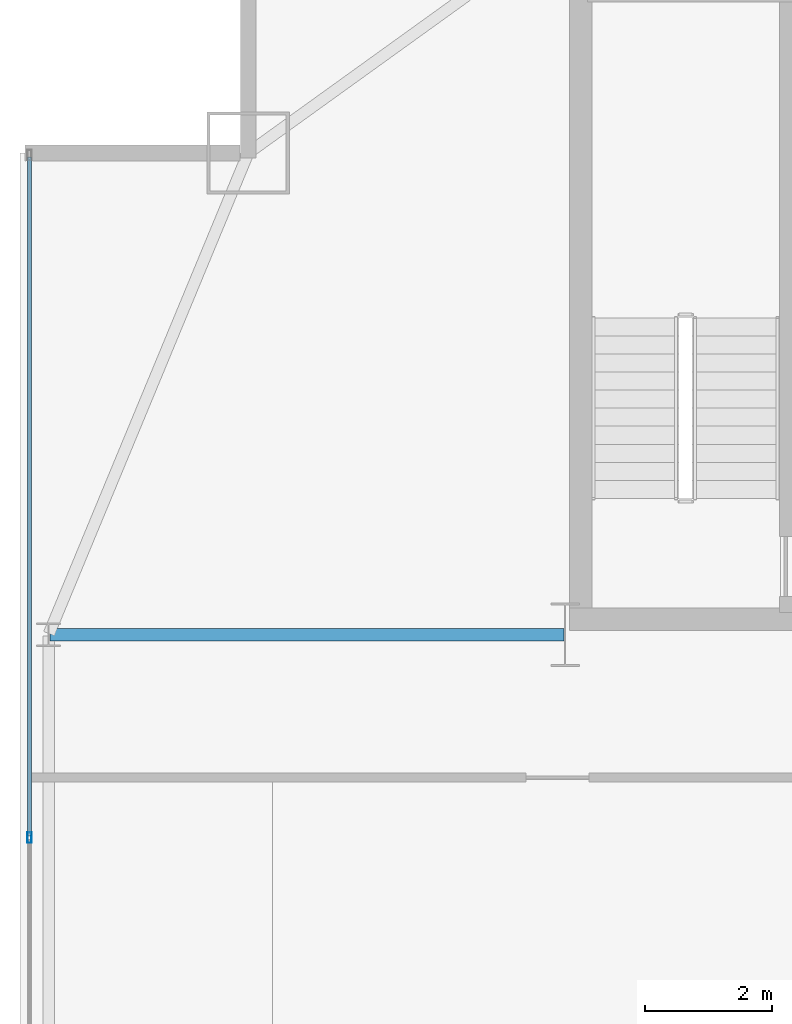
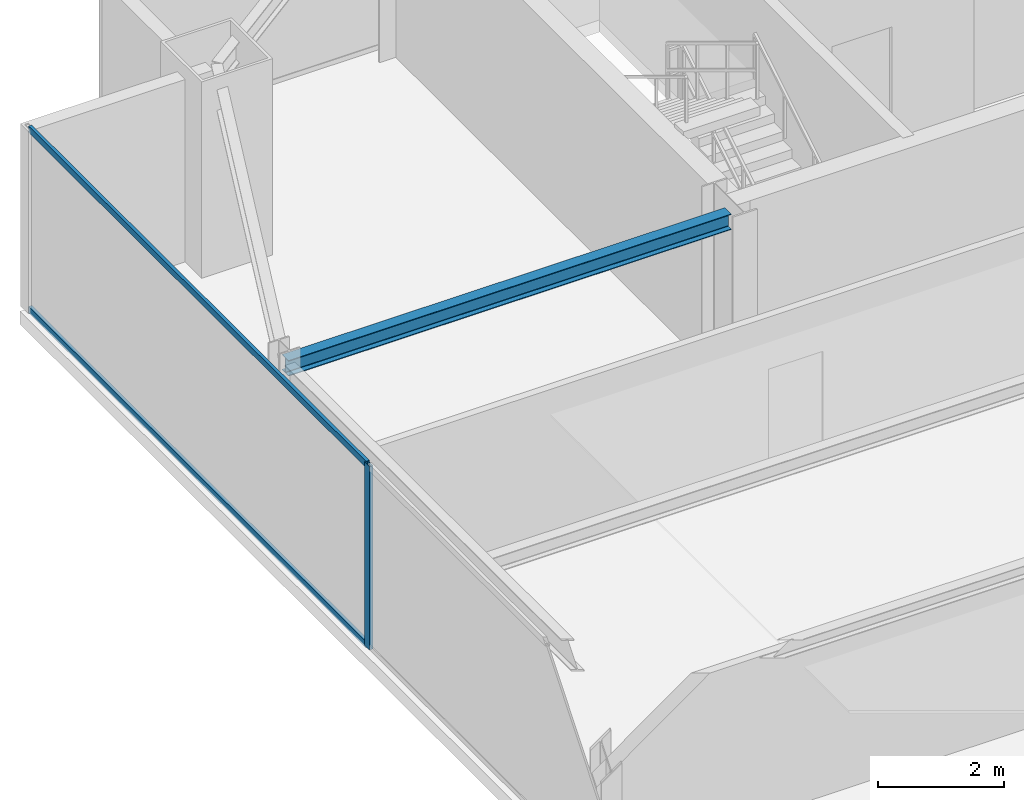
# One storey, part 11 of 30: 3 members, 1 beam, 1 element without a shape of its own.
"""IFC4 building model written with IfcOpenShell, lengths in metres."""

from ifc_helpers import new_model, si_unit, direction, frame, origin, origin_2d, place, context, subcontext, project, spatial, hollow_rectangle, i_section, extrude, source, transform, mapped, material, layer, layer_set, material_profile, profile_set, type_object, type_shapes, element, aggregate, save


model = new_model("IFC4")

# Units and contexts
model_context = context("Model", 3, precision=1e-05, world=origin(), true_north=direction((0.0, 1.0)))
body_context = subcontext(model_context, "Body", "Model", "MODEL_VIEW")
ifc_project = project(units=[si_unit("LENGTHUNIT", "METRE"), si_unit("AREAUNIT", "SQUARE_METRE"), si_unit("VOLUMEUNIT", "CUBIC_METRE"), si_unit("PLANEANGLEUNIT", "RADIAN"), si_unit("MASSUNIT", "GRAM", prefix="KILO")], contexts=[model_context])

# Site, building, storey
site_placement = place(None, origin())
site = spatial("IfcSite", under=ifc_project, at=site_placement, CompositionType="ELEMENT")
building_placement = place(site_placement, origin())
building = spatial("IfcBuilding", under=site, at=building_placement, Name="Varnel Quay Broadcast Tower", CompositionType="ELEMENT")
storey_placement = place(building_placement, frame((0.0, 0.0, 180.0)))
storey = spatial("IfcBuildingStorey", under=building, at=storey_placement, Name="L44", CompositionType="ELEMENT", Elevation=180.0)

# Beam
ifc_material_1 = material(Name="Structural Steel CSA G40.21 350W", Category="steel")
ifc_material_profile_1 = material_profile(ifc_material_1, i_section(OverallWidth=0.202880859375, OverallDepth=0.302978515625, WebThickness=0.007568359375, FlangeThickness=0.01318359375, FilletRadius=0.011962890625, at=origin_2d()), Name="W310X60")
ifc_profile_set_1 = profile_set([ifc_material_profile_1], Name="Structural Steel CSA G40.21 350W")
beam_type = type_object("IfcBeamType", Name="Beam_W310X60", PredefinedType="JOIST", material=ifc_profile_set_1)
shared_shape_1 = source(origin(), body_context, "Body", "SweptSolid", [
    extrude(i_section(OverallWidth=0.202880859375, OverallDepth=0.302978515625, WebThickness=0.007568359375, FlangeThickness=0.01318359375, FilletRadius=0.011962890625, at=origin_2d()), origin(), (0.0, 0.0, 1.0), 8.110107421875),
])
type_shapes(beam_type, [shared_shape_1])
beam_placement = place(storey_placement, frame((7.469970703125, 35.60009765625, 3.3984375), z_axis=(1.0, 0.0, 0.0), x_axis=(0.0, 1.0, 0.0)))
element("IfcBeam", 1, at=beam_placement, inside=storey, type_object=beam_type, Name="L44 West Core Tie Joist", PredefinedType="JOIST", context=body_context, shape_type="MappedRepresentation", body=[
    mapped(shared_shape_1, transform((0.0, 0.0, 0.0), x_axis=(1.0, 0.0, 0.0), y_axis=(0.0, 1.0, 0.0), z_axis=(0.0, 0.0, 1.0), scale=1.0)),
])

# Curtain wall, members
ifc_material_2 = material(Name="Anodised Bronze Aluminium 6063-T6", Category="aluminium")
ifc_layer = layer(ifc_material_2, 0.18994140625, Name="Anodised Bronze Aluminium 6063-T6")
ifc_layer_set = layer_set([ifc_layer], Name="Anodised Bronze Aluminium 6063-T6")
curtain_wall_type = type_object("IfcCurtainWallType", Name="CW_UpperTower", PredefinedType="NOTDEFINED", material=ifc_layer_set)
curtain_wall_placement = place(storey_placement, origin())
curtain_wall = element("IfcCurtainWall", 2, at=curtain_wall_placement, inside=storey, type_object=curtain_wall_type, Name="L44 West Unitised Curtain Wall", PredefinedType="NOTDEFINED")
ifc_material_profile_2 = material_profile(ifc_material_2, hollow_rectangle(XDim=0.06494140625, YDim=0.1650390625, WallThickness=0.00341796875, at=origin_2d()), Name="ALU65X165X3.5")
ifc_profile_set_2 = profile_set([ifc_material_profile_2], Name="Anodised Bronze Aluminium 6063-T6")
member_type_1 = type_object("IfcMemberType", Name="Mull_CWS-03", PredefinedType="MULLION", material=ifc_profile_set_2)
shared_shape_2 = source(origin(), body_context, "Body", "SweptSolid", [
    extrude(hollow_rectangle(XDim=0.06494140625, YDim=0.1650390625, WallThickness=0.00341796875, at=origin_2d()), origin(), (0.0, 0.0, 1.0), 3.550048828125),
])
type_shapes(member_type_1, [shared_shape_2])
member_1_placement = place(storey_placement, frame((7.14990234375, 32.39990234375, 0.0), z_axis=(0.0, 0.0, 1.0), x_axis=(-1.0, 0.0, 0.0)))
member_1 = element("IfcMember", 3, at=member_1_placement, type_object=member_type_1, Name="CWS-03 mullion 3", PredefinedType="MULLION", context=body_context, shape_type="MappedRepresentation", body=[
    mapped(shared_shape_2, transform((0.0, 0.0, 0.0), x_axis=(1.0, 0.0, 0.0), y_axis=(0.0, 1.0, 0.0), z_axis=(0.0, 0.0, 1.0), scale=1.0)),
])
ifc_material_profile_3 = material_profile(ifc_material_2, hollow_rectangle(XDim=0.06005859375, YDim=0.125, WallThickness=0.0029296875, at=origin_2d()), Name="ALU60X125X3")
ifc_profile_set_3 = profile_set([ifc_material_profile_3], Name="Anodised Bronze Aluminium 6063-T6")
member_type_2 = type_object("IfcMemberType", Name="Tran_CWS-03", PredefinedType="USERDEFINED", material=ifc_profile_set_3)
shared_shape_3 = source(origin(), body_context, "Body", "SweptSolid", [
    extrude(hollow_rectangle(XDim=0.06005859375, YDim=0.125, WallThickness=0.0029296875, at=origin_2d()), origin(), (0.0, 0.0, 1.0), 10.702392578125),
])
type_shapes(member_type_2, [shared_shape_3])
member_2_placement = place(storey_placement, frame((7.14990234375, 32.4326171875, 0.030029296875), z_axis=(0.0, 1.0, 0.0), x_axis=(-1.0, 0.0, 0.0)))
member_2 = element("IfcMember", 4, at=member_2_placement, type_object=member_type_2, Name="CWS-03 transom 3.1", ObjectType="TRANSOM", PredefinedType="USERDEFINED", context=body_context, shape_type="MappedRepresentation", body=[
    mapped(shared_shape_3, transform((0.0, 0.0, 0.0), x_axis=(1.0, 0.0, 0.0), y_axis=(0.0, 1.0, 0.0), z_axis=(0.0, 0.0, 1.0), scale=1.0)),
])
member_3_placement = place(storey_placement, frame((7.14990234375, 32.4326171875, 3.52001953125), z_axis=(0.0, 1.0, 0.0), x_axis=(-1.0, 0.0, 0.0)))
member_3 = element("IfcMember", 5, at=member_3_placement, type_object=member_type_2, Name="CWS-03 transom 3.2", ObjectType="TRANSOM", PredefinedType="USERDEFINED", context=body_context, shape_type="MappedRepresentation", body=[
    mapped(shared_shape_3, transform((0.0, 0.0, 0.0), x_axis=(1.0, 0.0, 0.0), y_axis=(0.0, 1.0, 0.0), z_axis=(0.0, 0.0, 1.0), scale=1.0)),
])
aggregate(curtain_wall, [member_1, member_2, member_3])

save(model, "model.ifc")
